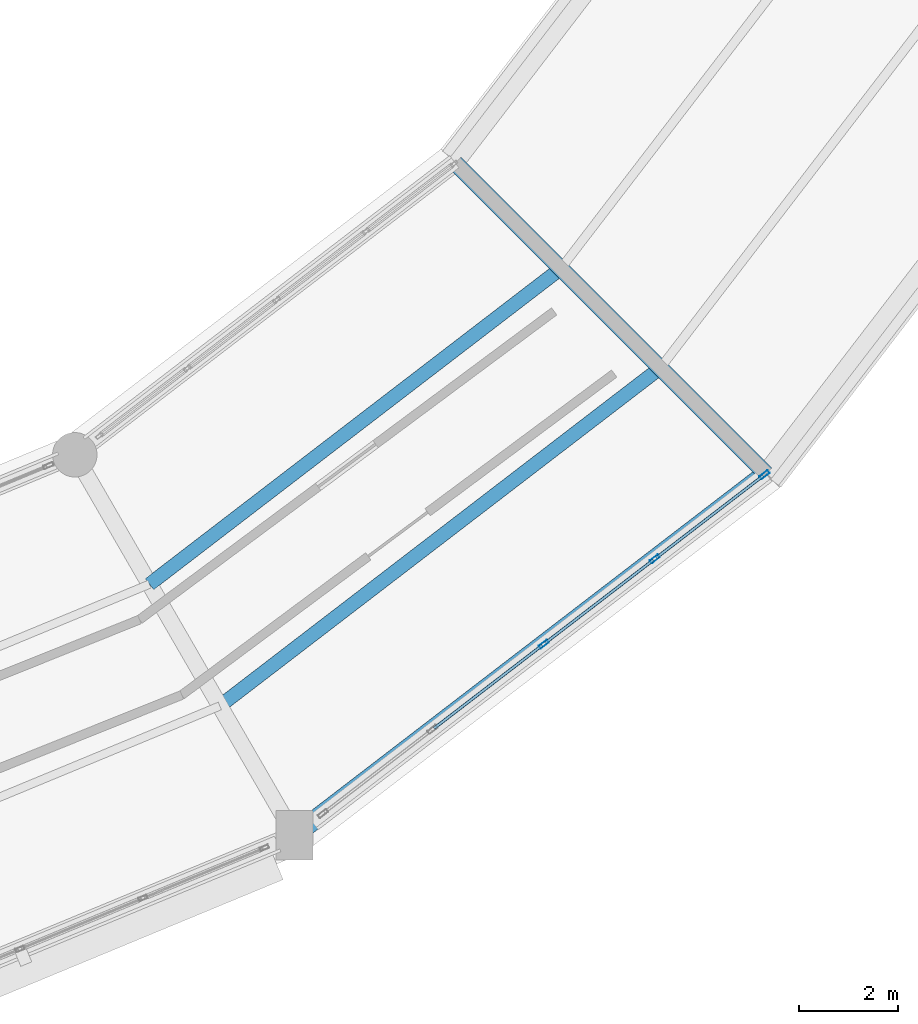
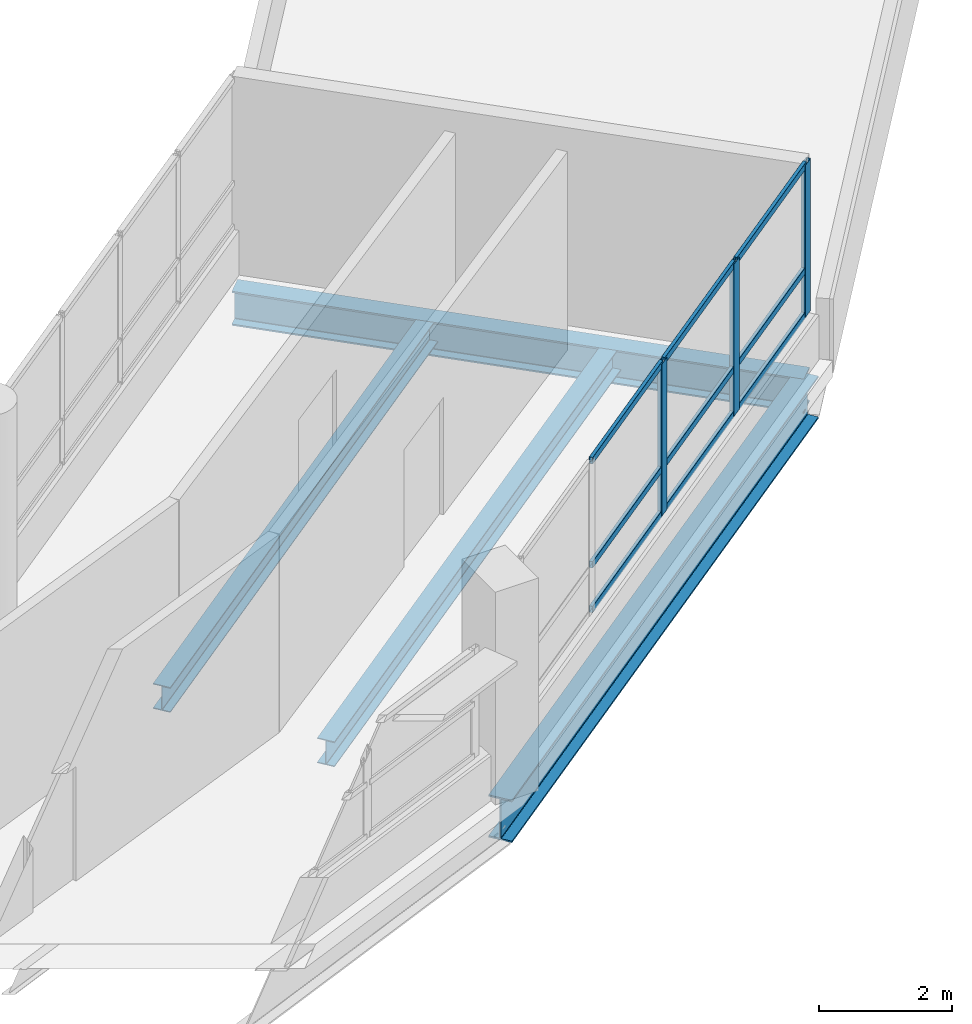
# One storey, part 28 of 88: 12 members, 4 beams, 1 element without a shape of its own.
"""IFC4 building model written with IfcOpenShell, lengths in metres."""

from ifc_helpers import new_model, si_unit, direction, frame, origin, origin_2d, place, context, subcontext, project, spatial, hollow_rectangle, i_section, extrude, material, layer, layer_set, material_profile, profile_set, type_object, element, aggregate, save


model = new_model("IFC4")

# Units and contexts
model_context = context("Model", 3, precision=1e-05, world=origin(), true_north=direction((0.0, 1.0)))
body_context = subcontext(model_context, "Body", "Model", "MODEL_VIEW")
ifc_project = project(units=[si_unit("LENGTHUNIT", "METRE"), si_unit("AREAUNIT", "SQUARE_METRE"), si_unit("VOLUMEUNIT", "CUBIC_METRE"), si_unit("PLANEANGLEUNIT", "RADIAN"), si_unit("MASSUNIT", "GRAM", prefix="KILO")], contexts=[model_context])

# Site, building, storey
site_placement = place(None, origin())
site = spatial("IfcSite", under=ifc_project, at=site_placement, CompositionType="ELEMENT")
building_placement = place(site_placement, origin())
building = spatial("IfcBuilding", under=site, at=building_placement, Name="Vespera Passage Community Centre", CompositionType="ELEMENT")
storey_placement = place(building_placement, frame((0.0, 0.0, 16.5)))
storey = spatial("IfcBuildingStorey", under=building, at=storey_placement, Name="L04", CompositionType="ELEMENT", Elevation=16.5)

# Beams
ifc_material_1 = material(Name="Steel ASTM A992 Grade 50", Category="steel")
ifc_material_profile_1 = material_profile(ifc_material_1, i_section(OverallWidth=0.32763671875, OverallDepth=0.62841796875, WebThickness=0.0166015625, FlangeThickness=0.027587890625, FilletRadius=0.0126953125, at=origin_2d()), Name="W24X146")
ifc_profile_set_1 = profile_set([ifc_material_profile_1], Name="Steel ASTM A992 Grade 50")
beam_type_1 = type_object("IfcBeamType", Name="BM-G-W24X146", PredefinedType="BEAM", material=ifc_profile_set_1)
beam_1_placement = place(storey_placement, frame((104.304443359375, 39.195556640625, -0.6142578125), z_axis=(0.707106781187, -0.707106781187, 0.0), x_axis=(0.707106781187, 0.707106781187, 0.0)))
element("IfcBeam", 1, at=beam_1_placement, inside=storey, type_object=beam_type_1, Name="V4 L04 Radial Girder 21", PredefinedType="BEAM", context=body_context, shape_type="SweptSolid", body=[
    extrude(i_section(OverallWidth=0.32763671875, OverallDepth=0.62841796875, WebThickness=0.0166015625, FlangeThickness=0.027587890625, FilletRadius=0.0126953125, at=origin_2d()), origin(), (0.0, 0.0, 1.0), 8.89990234375),
])
ifc_material_2 = material(Name="Steel ASTM A992 Grade 50", Category="steel")
ifc_material_profile_2 = material_profile(ifc_material_2, i_section(OverallWidth=0.280517578125, OverallDepth=0.46240234375, WebThickness=0.0107421875, FlangeThickness=0.017333984375, FilletRadius=0.01025390625, at=origin_2d()), Name="W18X76")
ifc_profile_set_2 = profile_set([ifc_material_profile_2], Name="Steel ASTM A992 Grade 50")
beam_type_2 = type_object("IfcBeamType", Name="BM-J-W18X76", PredefinedType="JOIST", material=ifc_profile_set_2)
beam_2_placement = place(storey_placement, frame((98.113037109375, 30.663330078125, -0.53125), z_axis=(0.793356328613, 0.608757534533, 0.0), x_axis=(-0.608757534533, 0.793356328613, 0.0)))
element("IfcBeam", 2, at=beam_2_placement, inside=storey, type_object=beam_type_2, Name="V4 L04 Floor Joist 20.1", PredefinedType="JOIST", context=body_context, shape_type="SweptSolid", body=[
    extrude(i_section(OverallWidth=0.280517578125, OverallDepth=0.46240234375, WebThickness=0.0107421875, FlangeThickness=0.017333984375, FilletRadius=0.01025390625, at=origin_2d()), origin(), (0.0, 0.0, 1.0), 10.5009765625),
])
beam_3_placement = place(storey_placement, frame((99.537109375, 28.19677734375, -0.53125), z_axis=(0.793354683982, 0.608759677873, 0.0), x_axis=(-0.608759677873, 0.793354683982, 0.0)))
element("IfcBeam", 3, at=beam_3_placement, inside=storey, type_object=beam_type_2, Name="V4 L04 Floor Joist 20.2", PredefinedType="JOIST", context=body_context, shape_type="SweptSolid", body=[
    extrude(i_section(OverallWidth=0.280517578125, OverallDepth=0.46240234375, WebThickness=0.0107421875, FlangeThickness=0.017333984375, FilletRadius=0.01025390625, at=origin_2d()), origin(), (0.0, 0.0, 1.0), 11.24462890625),
])
ifc_material_3 = material(Name="Steel ASTM A992 Grade 50", Category="steel")
ifc_material_profile_3 = material_profile(ifc_material_3, i_section(OverallWidth=0.382080078125, OverallDepth=0.779296875, WebThickness=0.01806640625, FlangeThickness=0.030029296875, FilletRadius=0.0166015625, at=origin_2d()), Name="W30X191")
ifc_profile_set_3 = profile_set([ifc_material_profile_3], Name="Steel ASTM A992 Grade 50")
beam_type_3 = type_object("IfcBeamType", Name="BM-SP-W30X191E", PredefinedType="SPANDREL", material=ifc_profile_set_3)
beam_4_placement = place(storey_placement, frame((101.050048828125, 25.576171875, -0.689697265625), z_axis=(0.793351934501, 0.608763261066, 0.0), x_axis=(-0.608763261066, 0.793351934501, 0.0)))
element("IfcBeam", 4, at=beam_4_placement, inside=storey, type_object=beam_type_3, Name="V4 L04 Outer Spandrel 20", PredefinedType="SPANDREL", context=body_context, shape_type="SweptSolid", body=[
    extrude(i_section(OverallWidth=0.382080078125, OverallDepth=0.779296875, WebThickness=0.01806640625, FlangeThickness=0.030029296875, FilletRadius=0.0166015625, at=origin_2d()), origin(), (0.0, 0.0, 1.0), 12.034423828125),
])

# Curtain wall, members
ifc_material_4 = material(Name="Anodized aluminium 6063-T6", Category="aluminium")
ifc_layer = layer(ifc_material_4, 0.159912109375)
ifc_layer_set = layer_set([ifc_layer], Name="Anodized aluminium 6063-T6")
curtain_wall_type = type_object("IfcCurtainWallType", Name="CW-67E", PredefinedType="NOTDEFINED", material=ifc_layer_set)
curtain_wall_placement = place(storey_placement, origin())
curtain_wall = element("IfcCurtainWall", 5, at=curtain_wall_placement, inside=storey, type_object=curtain_wall_type, Name="V4 L04 Outer Ribbon Curtain Wall 20", PredefinedType="NOTDEFINED")
ifc_material_5 = material(Name="Anodized aluminium 6063-T6", Category="aluminium")
ifc_material_profile_4 = material_profile(ifc_material_5, hollow_rectangle(XDim=0.074951171875, YDim=0.2099609375, WallThickness=0.0048828125, InnerFilletRadius=0.00244140625, OuterFilletRadius=0.0048828125, at=origin_2d()), Name="ALU210X75X5")
ifc_profile_set_4 = profile_set([ifc_material_profile_4], Name="Anodized aluminium 6063-T6")
member_type_1 = type_object("IfcMemberType", Name="MB-CWM-210E", PredefinedType="MULLION", material=ifc_profile_set_4)
member_1_placement = place(storey_placement, frame((110.56787109375, 32.879638671875, 0.820068359375), z_axis=(0.0, 0.0, 1.0), x_axis=(0.608768221519, -0.793348128169, 0.0)))
member_1 = element("IfcMember", 6, at=member_1_placement, type_object=member_type_1, Name="CW-67E mullion 1", PredefinedType="MULLION", context=body_context, shape_type="SweptSolid", body=[
    extrude(hollow_rectangle(XDim=0.074951171875, YDim=0.2099609375, WallThickness=0.0048828125, InnerFilletRadius=0.00244140625, OuterFilletRadius=0.0048828125, at=origin_2d()), origin(), (0.0, 0.0, 1.0), 2.7900390625),
])
member_2_placement = place(storey_placement, frame((108.34716796875, 31.175537109375, 0.820068359375), z_axis=(0.0, 0.0, 1.0), x_axis=(0.608768221519, -0.793348128169, 0.0)))
member_2 = element("IfcMember", 7, at=member_2_placement, type_object=member_type_1, Name="CW-67E mullion 2", PredefinedType="MULLION", context=body_context, shape_type="SweptSolid", body=[
    extrude(hollow_rectangle(XDim=0.074951171875, YDim=0.2099609375, WallThickness=0.0048828125, InnerFilletRadius=0.00244140625, OuterFilletRadius=0.0048828125, at=origin_2d()), origin(), (0.0, 0.0, 1.0), 2.7900390625),
])
member_3_placement = place(storey_placement, frame((106.0966796875, 29.448486328125, 0.820068359375), z_axis=(0.0, 0.0, 1.0), x_axis=(0.608768221519, -0.793348128169, 0.0)))
member_3 = element("IfcMember", 8, at=member_3_placement, type_object=member_type_1, Name="CW-67E mullion 3", PredefinedType="MULLION", context=body_context, shape_type="SweptSolid", body=[
    extrude(hollow_rectangle(XDim=0.074951171875, YDim=0.2099609375, WallThickness=0.0048828125, InnerFilletRadius=0.00244140625, OuterFilletRadius=0.0048828125, at=origin_2d()), origin(), (0.0, 0.0, 1.0), 2.7900390625),
])
ifc_material_6 = material(Name="Anodized aluminium 6063-T6", Category="aluminium")
ifc_material_profile_5 = material_profile(ifc_material_6, hollow_rectangle(XDim=0.06005859375, YDim=0.1201171875, WallThickness=0.00390625, InnerFilletRadius=0.001953125, OuterFilletRadius=0.00390625, at=origin_2d()), Name="ALU120X60X4")
ifc_profile_set_5 = profile_set([ifc_material_profile_5], Name="Anodized aluminium 6063-T6")
member_type_2 = type_object("IfcMemberType", Name="MB-CWT-120E", PredefinedType="USERDEFINED", material=ifc_profile_set_5)
member_4_placement = place(storey_placement, frame((110.5380859375, 32.856689453125, 0.85009765625), z_axis=(-0.793326438597, -0.608796486375, 0.0), x_axis=(0.608796486375, -0.793326438597, 0.0)))
member_4 = element("IfcMember", 9, at=member_4_placement, type_object=member_type_2, Name="CW-67E transom 1.1", ObjectType="TRANSOM", PredefinedType="USERDEFINED", context=body_context, shape_type="SweptSolid", body=[
    extrude(hollow_rectangle(XDim=0.06005859375, YDim=0.1201171875, WallThickness=0.00390625, InnerFilletRadius=0.001953125, OuterFilletRadius=0.00390625, at=origin_2d()), origin(), (0.0, 0.0, 1.0), 2.72412109375),
])
member_5_placement = place(storey_placement, frame((110.5380859375, 32.856689453125, 1.669921875), z_axis=(-0.793326438597, -0.608796486375, 0.0), x_axis=(0.608796486375, -0.793326438597, 0.0)))
member_5 = element("IfcMember", 10, at=member_5_placement, type_object=member_type_2, Name="CW-67E transom 1.2", ObjectType="TRANSOM", PredefinedType="USERDEFINED", context=body_context, shape_type="SweptSolid", body=[
    extrude(hollow_rectangle(XDim=0.06005859375, YDim=0.1201171875, WallThickness=0.00390625, InnerFilletRadius=0.001953125, OuterFilletRadius=0.00390625, at=origin_2d()), origin(), (0.0, 0.0, 1.0), 2.72412109375),
])
member_6_placement = place(storey_placement, frame((110.5380859375, 32.856689453125, 3.580078125), z_axis=(-0.793326438597, -0.608796486375, 0.0), x_axis=(0.608796486375, -0.793326438597, 0.0)))
member_6 = element("IfcMember", 11, at=member_6_placement, type_object=member_type_2, Name="CW-67E transom 1.3", ObjectType="TRANSOM", PredefinedType="USERDEFINED", context=body_context, shape_type="SweptSolid", body=[
    extrude(hollow_rectangle(XDim=0.06005859375, YDim=0.1201171875, WallThickness=0.00390625, InnerFilletRadius=0.001953125, OuterFilletRadius=0.00390625, at=origin_2d()), origin(), (0.0, 0.0, 1.0), 2.72412109375),
])
member_7_placement = place(storey_placement, frame((108.3173828125, 31.152587890625, 0.85009765625), z_axis=(-0.793353015375, -0.608761852448, 0.0), x_axis=(0.608761852448, -0.793353015375, 0.0)))
member_7 = element("IfcMember", 12, at=member_7_placement, type_object=member_type_2, Name="CW-67E transom 2.1", ObjectType="TRANSOM", PredefinedType="USERDEFINED", context=body_context, shape_type="SweptSolid", body=[
    extrude(hollow_rectangle(XDim=0.06005859375, YDim=0.1201171875, WallThickness=0.00390625, InnerFilletRadius=0.001953125, OuterFilletRadius=0.00390625, at=origin_2d()), origin(), (0.0, 0.0, 1.0), 2.761474609375),
])
member_8_placement = place(storey_placement, frame((108.3173828125, 31.152587890625, 1.669921875), z_axis=(-0.793353015375, -0.608761852448, 0.0), x_axis=(0.608761852448, -0.793353015375, 0.0)))
member_8 = element("IfcMember", 13, at=member_8_placement, type_object=member_type_2, Name="CW-67E transom 2.2", ObjectType="TRANSOM", PredefinedType="USERDEFINED", context=body_context, shape_type="SweptSolid", body=[
    extrude(hollow_rectangle(XDim=0.06005859375, YDim=0.1201171875, WallThickness=0.00390625, InnerFilletRadius=0.001953125, OuterFilletRadius=0.00390625, at=origin_2d()), origin(), (0.0, 0.0, 1.0), 2.761474609375),
])
member_9_placement = place(storey_placement, frame((108.3173828125, 31.152587890625, 3.580078125), z_axis=(-0.793353015375, -0.608761852448, 0.0), x_axis=(0.608761852448, -0.793353015375, 0.0)))
member_9 = element("IfcMember", 14, at=member_9_placement, type_object=member_type_2, Name="CW-67E transom 2.3", ObjectType="TRANSOM", PredefinedType="USERDEFINED", context=body_context, shape_type="SweptSolid", body=[
    extrude(hollow_rectangle(XDim=0.06005859375, YDim=0.1201171875, WallThickness=0.00390625, InnerFilletRadius=0.001953125, OuterFilletRadius=0.00390625, at=origin_2d()), origin(), (0.0, 0.0, 1.0), 2.761474609375),
])
member_10_placement = place(storey_placement, frame((106.06689453125, 29.42578125, 0.85009765625), z_axis=(-0.793385774295, -0.60871915786, 0.0), x_axis=(0.60871915786, -0.793385774295, 0.0)))
member_10 = element("IfcMember", 15, at=member_10_placement, type_object=member_type_2, Name="CW-67E transom 3.1", ObjectType="TRANSOM", PredefinedType="USERDEFINED", context=body_context, shape_type="SweptSolid", body=[
    extrude(hollow_rectangle(XDim=0.06005859375, YDim=0.1201171875, WallThickness=0.00390625, InnerFilletRadius=0.001953125, OuterFilletRadius=0.00390625, at=origin_2d()), origin(), (0.0, 0.0, 1.0), 2.76171875),
])
member_11_placement = place(storey_placement, frame((106.06689453125, 29.42578125, 1.669921875), z_axis=(-0.793385774295, -0.60871915786, 0.0), x_axis=(0.60871915786, -0.793385774295, 0.0)))
member_11 = element("IfcMember", 16, at=member_11_placement, type_object=member_type_2, Name="CW-67E transom 3.2", ObjectType="TRANSOM", PredefinedType="USERDEFINED", context=body_context, shape_type="SweptSolid", body=[
    extrude(hollow_rectangle(XDim=0.06005859375, YDim=0.1201171875, WallThickness=0.00390625, InnerFilletRadius=0.001953125, OuterFilletRadius=0.00390625, at=origin_2d()), origin(), (0.0, 0.0, 1.0), 2.76171875),
])
member_12_placement = place(storey_placement, frame((106.06689453125, 29.42578125, 3.580078125), z_axis=(-0.793385774295, -0.60871915786, 0.0), x_axis=(0.60871915786, -0.793385774295, 0.0)))
member_12 = element("IfcMember", 17, at=member_12_placement, type_object=member_type_2, Name="CW-67E transom 3.3", ObjectType="TRANSOM", PredefinedType="USERDEFINED", context=body_context, shape_type="SweptSolid", body=[
    extrude(hollow_rectangle(XDim=0.06005859375, YDim=0.1201171875, WallThickness=0.00390625, InnerFilletRadius=0.001953125, OuterFilletRadius=0.00390625, at=origin_2d()), origin(), (0.0, 0.0, 1.0), 2.76171875),
])
aggregate(curtain_wall, [member_1, member_2, member_3, member_4, member_5, member_6, member_7, member_8, member_9, member_10, member_11, member_12])

save(model, "model.ifc")
